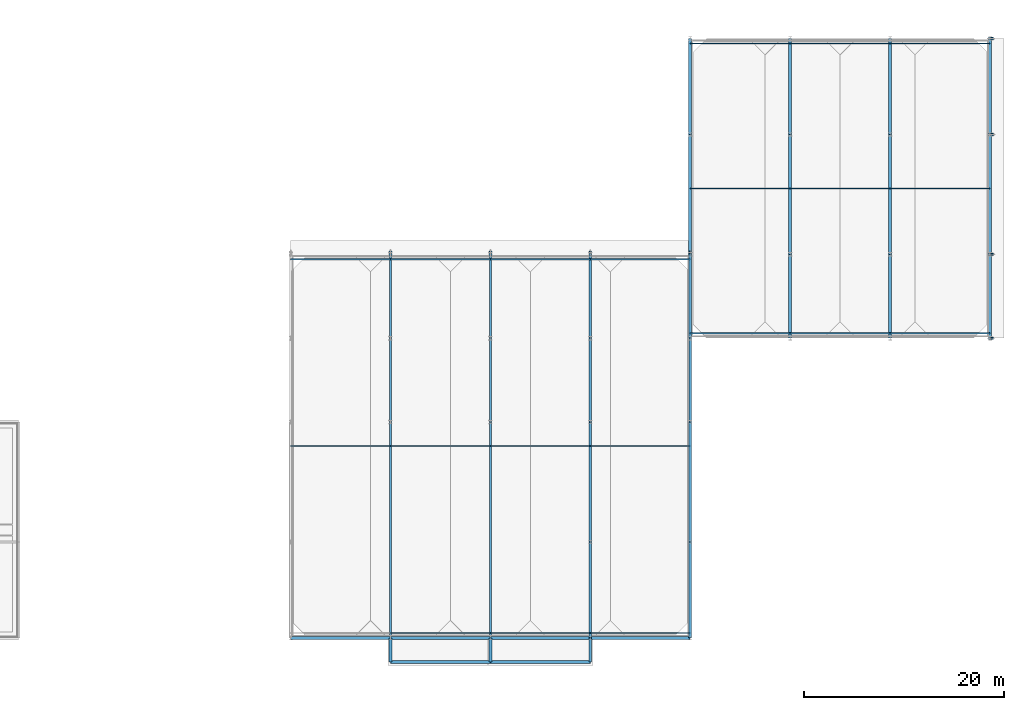
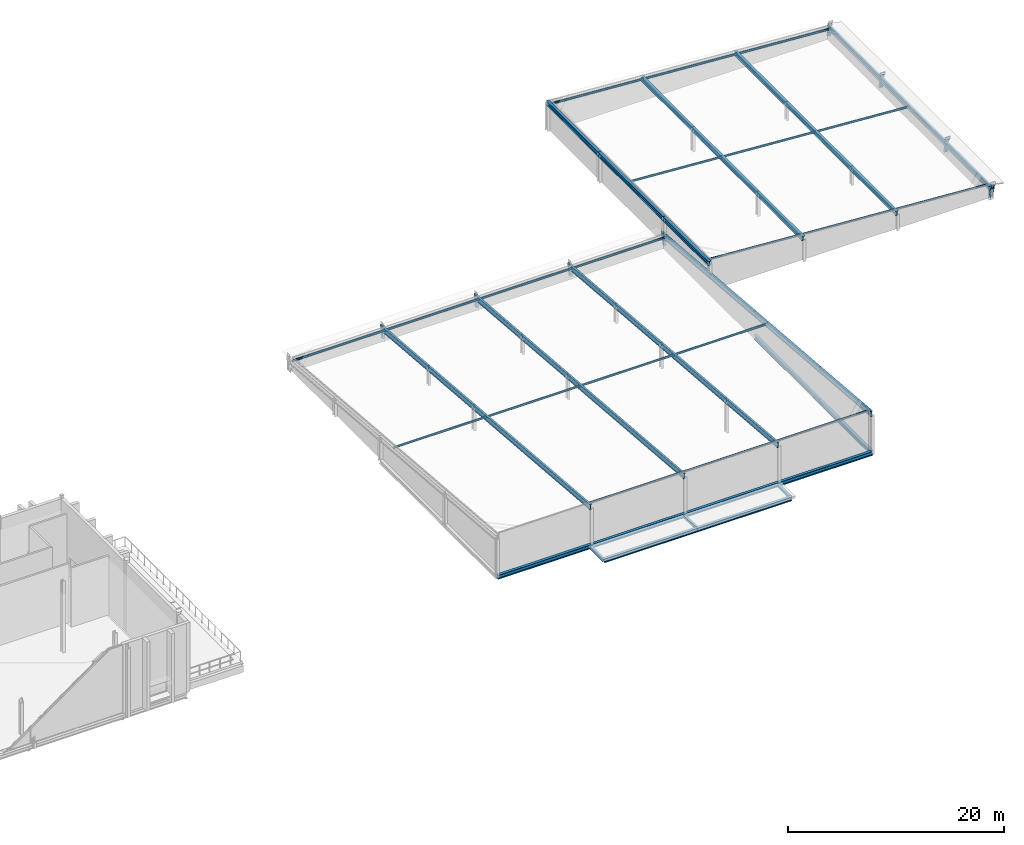
# One storey, part 37 of 79: 37 beams, 28 members.
"""IFC4 building model written with IfcOpenShell, lengths in metres."""

from ifc_helpers import new_model, si_unit, direction, frame, origin, origin_2d, place, context, subcontext, project, spatial, i_section, extrude, material, material_profile, profile_set, type_object, element, save


model = new_model("IFC4")

# Units and contexts
model_context = context("Model", 3, precision=1e-05, world=origin(), true_north=direction((0.0, 1.0)))
body_context = subcontext(model_context, "Body", "Model", "MODEL_VIEW")
ifc_project = project(units=[si_unit("LENGTHUNIT", "METRE"), si_unit("AREAUNIT", "SQUARE_METRE"), si_unit("VOLUMEUNIT", "CUBIC_METRE"), si_unit("PLANEANGLEUNIT", "RADIAN"), si_unit("MASSUNIT", "GRAM", prefix="KILO")], contexts=[model_context])

# Site, building, storey
site_placement = place(None, origin())
site = spatial("IfcSite", under=ifc_project, at=site_placement, CompositionType="ELEMENT")
building_placement = place(site_placement, origin())
building = spatial("IfcBuilding", under=site, at=building_placement, Name="Zereglee Splitstone Museum", CompositionType="ELEMENT")
storey_placement = place(building_placement, frame((0.0, 0.0, 9.0)))
storey = spatial("IfcBuildingStorey", under=building, at=storey_placement, Name="L02", CompositionType="ELEMENT", Elevation=9.0)

# Members
ifc_material_1 = material(Name="Steel S355J2", Category="steel")
ifc_material_profile_1 = material_profile(ifc_material_1, i_section(OverallWidth=0.110107421875, OverallDepth=0.219970703125, WebThickness=0.005859375, FlangeThickness=0.00927734375, FilletRadius=0.011962890625, at=origin_2d()), Name="IPE 220")
ifc_profile_set_1 = profile_set([ifc_material_profile_1], Name="Steel S355J2")
member_type_1 = type_object("IfcMemberType", Name="PR-04", PredefinedType="PURLIN", material=ifc_profile_set_1)
for number, where, z_axis, x_axis, name in (
    (1, (256.0, 19.199951171875, 2.955078125), (1.0, 0.0, 0.0), (0.0, 1.0, 0.0), "Roof Purlin RF-V5 (256.0-266.0)"),
    (2, (256.0, 37.89990234375, 1.396728515625), (1.0, 0.0, 0.0), (0.0, 1.0, 0.0), "Roof Purlin RF-V5 (256.0-266.0)"),
    (3, (266.0, 0.5, 4.513427734375), (1.0, 0.0, 0.0), (0.0, 1.0, 0.0), "Roof Purlin RF-V5 (266.0-276.0)"),
    (4, (266.0, 19.199951171875, 2.955078125), (1.0, 0.0, 0.0), (0.0, 1.0, 0.0), "Roof Purlin RF-V5 (266.0-276.0)"),
    (5, (266.0, 37.89990234375, 1.396728515625), (1.0, 0.0, 0.0), (0.0, 1.0, 0.0), "Roof Purlin RF-V5 (266.0-276.0)"),
    (6, (276.0, 0.5, 4.513427734375), (1.0, 0.0, 0.0), (0.0, 1.0, 0.0), "Roof Purlin RF-V5 (276.0-286.0)"),
    (7, (276.0, 19.199951171875, 2.955078125), (1.0, 0.0, 0.0), (0.0, 1.0, 0.0), "Roof Purlin RF-V5 (276.0-286.0)"),
    (8, (276.0, 37.89990234375, 1.396728515625), (1.0, 0.0, 0.0), (0.0, 1.0, 0.0), "Roof Purlin RF-V5 (276.0-286.0)"),
    (9, (286.0, 0.5, 4.513427734375), (1.0, 0.0, 0.0), (0.0, 1.0, 0.0), "Roof Purlin RF-V5 (286.0-296.0)"),
    (10, (286.0, 19.199951171875, 2.955078125), (1.0, 0.0, 0.0), (0.0, 1.0, 0.0), "Roof Purlin RF-V5 (286.0-296.0)"),
    (11, (286.0, 37.89990234375, 1.396728515625), (1.0, 0.0, 0.0), (0.0, 1.0, 0.0), "Roof Purlin RF-V5 (286.0-296.0)"),
):
    element("IfcMember", number, at=place(storey_placement, frame(where, z_axis=z_axis, x_axis=x_axis)), inside=storey, type_object=member_type_1, Name=name, PredefinedType="PURLIN", context=body_context, shape_type="SweptSolid", body=[
        extrude(i_section(OverallWidth=0.110107421875, OverallDepth=0.219970703125, WebThickness=0.005859375, FlangeThickness=0.00927734375, FilletRadius=0.011962890625, at=origin_2d()), origin(), (0.0, 0.0, 1.0), 10.0),
    ])
for number, where, z_axis, x_axis, name in (
    (12, (296.0, 30.5, 3.29541015625), (0.997784618886, 0.0, -0.066527094584), (0.0, 1.0, 0.0), "Roof Purlin RF-V6 (296.0-306.0)"),
    (13, (296.0, 45.0, 3.29541015625), (0.997784618886, 0.0, -0.066527094584), (0.0, 1.0, 0.0), "Roof Purlin RF-V6 (296.0-306.0)"),
    (14, (296.0, 59.5, 3.29541015625), (0.997784618886, 0.0, -0.066527094584), (0.0, 1.0, 0.0), "Roof Purlin RF-V6 (296.0-306.0)"),
    (15, (306.0, 30.5, 2.628662109375), (0.997784618886, 0.0, -0.066527094584), (0.0, 1.0, 0.0), "Roof Purlin RF-V6 (306.0-316.0)"),
    (16, (306.0, 45.0, 2.628662109375), (0.997784618886, 0.0, -0.066527094584), (0.0, 1.0, 0.0), "Roof Purlin RF-V6 (306.0-316.0)"),
    (17, (306.0, 59.5, 2.628662109375), (0.997784618886, 0.0, -0.066527094584), (0.0, 1.0, 0.0), "Roof Purlin RF-V6 (306.0-316.0)"),
    (18, (316.0, 30.5, 1.9619140625), (0.997786235602, 0.0, -0.066502842363), (0.0, 1.0, 0.0), "Roof Purlin RF-V6 (316.0-326.0)"),
    (19, (316.0, 45.0, 1.9619140625), (0.997786235602, 0.0, -0.066502842363), (0.0, 1.0, 0.0), "Roof Purlin RF-V6 (316.0-326.0)"),
    (20, (316.0, 59.5, 1.9619140625), (0.997786235602, 0.0, -0.066502842363), (0.0, 1.0, 0.0), "Roof Purlin RF-V6 (316.0-326.0)"),
):
    element("IfcMember", number, at=place(storey_placement, frame(where, z_axis=z_axis, x_axis=x_axis)), inside=storey, type_object=member_type_1, Name=name, PredefinedType="PURLIN", context=body_context, shape_type="SweptSolid", body=[
        extrude(i_section(OverallWidth=0.110107421875, OverallDepth=0.219970703125, WebThickness=0.005859375, FlangeThickness=0.00927734375, FilletRadius=0.011962890625, at=origin_2d()), origin(), (0.0, 0.0, 1.0), 10.022216796875),
    ])

# Beams
ifc_material_profile_2 = material_profile(ifc_material_1, i_section(OverallWidth=0.300048828125, OverallDepth=0.5, WebThickness=0.014404296875, FlangeThickness=0.028076171875, FilletRadius=0.027099609375, at=origin_2d()), Name="HE 500 B")
ifc_profile_set_2 = profile_set([ifc_material_profile_2], Name="Steel S355J2")
beam_type_1 = type_object("IfcBeamType", Name="RR-02", PredefinedType="BEAM", material=ifc_profile_set_2)
beam_1_placement = place(storey_placement, frame((296.0, 30.0, 3.158935546875), z_axis=(0.0, 1.0, 0.0), x_axis=(-1.0, 0.0, 0.0)))
element("IfcBeam", 21, at=beam_1_placement, inside=storey, type_object=beam_type_1, Name="Sloped Roof Girder RF-V6 X=296.0 (30.0-38.4)", PredefinedType="BEAM", context=body_context, shape_type="SweptSolid", body=[
    extrude(i_section(OverallWidth=0.300048828125, OverallDepth=0.5, WebThickness=0.014404296875, FlangeThickness=0.028076171875, FilletRadius=0.027099609375, at=origin_2d()), origin(), (0.0, 0.0, 1.0), 8.39990234375),
])
beam_2_placement = place(storey_placement, frame((296.0, 38.39990234375, 3.158935546875), z_axis=(0.0, 1.0, 0.0), x_axis=(-1.0, 0.0, 0.0)))
element("IfcBeam", 22, at=beam_2_placement, inside=storey, type_object=beam_type_1, Name="Sloped Roof Girder RF-V6 X=296.0 (38.4-50.4)", PredefinedType="BEAM", context=body_context, shape_type="SweptSolid", body=[
    extrude(i_section(OverallWidth=0.300048828125, OverallDepth=0.5, WebThickness=0.014404296875, FlangeThickness=0.028076171875, FilletRadius=0.027099609375, at=origin_2d()), origin(), (0.0, 0.0, 1.0), 12.0),
])
beam_3_placement = place(storey_placement, frame((296.0, 50.39990234375, 3.158935546875), z_axis=(0.0, 1.0, 0.0), x_axis=(-1.0, 0.0, 0.0)))
element("IfcBeam", 23, at=beam_3_placement, inside=storey, type_object=beam_type_1, Name="Sloped Roof Girder RF-V6 X=296.0 (50.4-60.0)", PredefinedType="BEAM", context=body_context, shape_type="SweptSolid", body=[
    extrude(i_section(OverallWidth=0.300048828125, OverallDepth=0.5, WebThickness=0.014404296875, FlangeThickness=0.028076171875, FilletRadius=0.027099609375, at=origin_2d()), origin(), (0.0, 0.0, 1.0), 9.60009765625),
])
beam_4_placement = place(storey_placement, frame((306.0, 30.0, 2.492431640625), z_axis=(0.0, 1.0, 0.0), x_axis=(-1.0, 0.0, 0.0)))
element("IfcBeam", 24, at=beam_4_placement, inside=storey, type_object=beam_type_1, Name="Sloped Roof Girder RF-V6 X=306.0 (30.0-38.4)", PredefinedType="BEAM", context=body_context, shape_type="SweptSolid", body=[
    extrude(i_section(OverallWidth=0.300048828125, OverallDepth=0.5, WebThickness=0.014404296875, FlangeThickness=0.028076171875, FilletRadius=0.027099609375, at=origin_2d()), origin(), (0.0, 0.0, 1.0), 8.39990234375),
])
beam_5_placement = place(storey_placement, frame((306.0, 38.39990234375, 2.492431640625), z_axis=(0.0, 1.0, 0.0), x_axis=(-1.0, 0.0, 0.0)))
element("IfcBeam", 25, at=beam_5_placement, inside=storey, type_object=beam_type_1, Name="Sloped Roof Girder RF-V6 X=306.0 (38.4-50.4)", PredefinedType="BEAM", context=body_context, shape_type="SweptSolid", body=[
    extrude(i_section(OverallWidth=0.300048828125, OverallDepth=0.5, WebThickness=0.014404296875, FlangeThickness=0.028076171875, FilletRadius=0.027099609375, at=origin_2d()), origin(), (0.0, 0.0, 1.0), 12.0),
])
beam_6_placement = place(storey_placement, frame((306.0, 50.39990234375, 2.492431640625), z_axis=(0.0, 1.0, 0.0), x_axis=(-1.0, 0.0, 0.0)))
element("IfcBeam", 26, at=beam_6_placement, inside=storey, type_object=beam_type_1, Name="Sloped Roof Girder RF-V6 X=306.0 (50.4-60.0)", PredefinedType="BEAM", context=body_context, shape_type="SweptSolid", body=[
    extrude(i_section(OverallWidth=0.300048828125, OverallDepth=0.5, WebThickness=0.014404296875, FlangeThickness=0.028076171875, FilletRadius=0.027099609375, at=origin_2d()), origin(), (0.0, 0.0, 1.0), 9.60009765625),
])
beam_7_placement = place(storey_placement, frame((316.0, 30.0, 1.82568359375), z_axis=(0.0, 1.0, 0.0), x_axis=(-1.0, 0.0, 0.0)))
element("IfcBeam", 27, at=beam_7_placement, inside=storey, type_object=beam_type_1, Name="Sloped Roof Girder RF-V6 X=316.0 (30.0-38.4)", PredefinedType="BEAM", context=body_context, shape_type="SweptSolid", body=[
    extrude(i_section(OverallWidth=0.300048828125, OverallDepth=0.5, WebThickness=0.014404296875, FlangeThickness=0.028076171875, FilletRadius=0.027099609375, at=origin_2d()), origin(), (0.0, 0.0, 1.0), 8.39990234375),
])
beam_8_placement = place(storey_placement, frame((316.0, 38.39990234375, 1.82568359375), z_axis=(0.0, 1.0, 0.0), x_axis=(-1.0, 0.0, 0.0)))
element("IfcBeam", 28, at=beam_8_placement, inside=storey, type_object=beam_type_1, Name="Sloped Roof Girder RF-V6 X=316.0 (38.4-50.4)", PredefinedType="BEAM", context=body_context, shape_type="SweptSolid", body=[
    extrude(i_section(OverallWidth=0.300048828125, OverallDepth=0.5, WebThickness=0.014404296875, FlangeThickness=0.028076171875, FilletRadius=0.027099609375, at=origin_2d()), origin(), (0.0, 0.0, 1.0), 12.0),
])
beam_9_placement = place(storey_placement, frame((316.0, 50.39990234375, 1.82568359375), z_axis=(0.0, 1.0, 0.0), x_axis=(-1.0, 0.0, 0.0)))
element("IfcBeam", 29, at=beam_9_placement, inside=storey, type_object=beam_type_1, Name="Sloped Roof Girder RF-V6 X=316.0 (50.4-60.0)", PredefinedType="BEAM", context=body_context, shape_type="SweptSolid", body=[
    extrude(i_section(OverallWidth=0.300048828125, OverallDepth=0.5, WebThickness=0.014404296875, FlangeThickness=0.028076171875, FilletRadius=0.027099609375, at=origin_2d()), origin(), (0.0, 0.0, 1.0), 9.60009765625),
])
beam_10_placement = place(storey_placement, frame((326.0, 30.0, 1.158935546875), z_axis=(0.0, 1.0, 0.0), x_axis=(-1.0, 0.0, 0.0)))
element("IfcBeam", 30, at=beam_10_placement, inside=storey, type_object=beam_type_1, Name="Sloped Roof Girder RF-V6 X=326.0 (30.0-38.4)", PredefinedType="BEAM", context=body_context, shape_type="SweptSolid", body=[
    extrude(i_section(OverallWidth=0.300048828125, OverallDepth=0.5, WebThickness=0.014404296875, FlangeThickness=0.028076171875, FilletRadius=0.027099609375, at=origin_2d()), origin(), (0.0, 0.0, 1.0), 8.39990234375),
])
beam_11_placement = place(storey_placement, frame((326.0, 38.39990234375, 1.158935546875), z_axis=(0.0, 1.0, 0.0), x_axis=(-1.0, 0.0, 0.0)))
element("IfcBeam", 31, at=beam_11_placement, inside=storey, type_object=beam_type_1, Name="Sloped Roof Girder RF-V6 X=326.0 (38.4-50.4)", PredefinedType="BEAM", context=body_context, shape_type="SweptSolid", body=[
    extrude(i_section(OverallWidth=0.300048828125, OverallDepth=0.5, WebThickness=0.014404296875, FlangeThickness=0.028076171875, FilletRadius=0.027099609375, at=origin_2d()), origin(), (0.0, 0.0, 1.0), 12.0),
])
beam_12_placement = place(storey_placement, frame((326.0, 50.39990234375, 1.158935546875), z_axis=(0.0, 1.0, 0.0), x_axis=(-1.0, 0.0, 0.0)))
element("IfcBeam", 32, at=beam_12_placement, inside=storey, type_object=beam_type_1, Name="Sloped Roof Girder RF-V6 X=326.0 (50.4-60.0)", PredefinedType="BEAM", context=body_context, shape_type="SweptSolid", body=[
    extrude(i_section(OverallWidth=0.300048828125, OverallDepth=0.5, WebThickness=0.014404296875, FlangeThickness=0.028076171875, FilletRadius=0.027099609375, at=origin_2d()), origin(), (0.0, 0.0, 1.0), 9.60009765625),
])
ifc_material_profile_3 = material_profile(ifc_material_1, i_section(OverallWidth=0.219970703125, OverallDepth=0.60009765625, WebThickness=0.011962890625, FlangeThickness=0.01904296875, FilletRadius=0.02392578125, at=origin_2d()), Name="IPE 600")
ifc_profile_set_3 = profile_set([ifc_material_profile_3], Name="Steel S355J2")
beam_type_2 = type_object("IfcBeamType", Name="RR-01", PredefinedType="BEAM", material=ifc_profile_set_3)
beam_13_placement = place(storey_placement, frame((266.0, 0.0, 4.368408203125), z_axis=(0.0, 0.996545602882, -0.083047344192), x_axis=(-1.0, 0.0, 0.0)))
element("IfcBeam", 33, at=beam_13_placement, inside=storey, type_object=beam_type_2, Name="Sloped Roof Girder RF-V5 X=266.0 (0.0-21.6)", PredefinedType="BEAM", context=body_context, shape_type="SweptSolid", body=[
    extrude(i_section(OverallWidth=0.219970703125, OverallDepth=0.60009765625, WebThickness=0.011962890625, FlangeThickness=0.01904296875, FilletRadius=0.02392578125, at=origin_2d()), origin(), (0.0, 0.0, 1.0), 21.675048828125),
])
for number, where, z_axis, x_axis, name in (
    (34, (266.0, 21.60009765625, 2.568359375), (0.0, 0.996546157741, -0.08304068576), (-1.0, 0.0, 0.0), "Sloped Roof Girder RF-V5 X=266.0 (21.6-30.0)"),
    (35, (266.0, 30.0, 1.868408203125), (0.0, 0.996546157741, -0.08304068576), (-1.0, 0.0, 0.0), "Sloped Roof Girder RF-V5 X=266.0 (30.0-38.4)"),
):
    element("IfcBeam", number, at=place(storey_placement, frame(where, z_axis=z_axis, x_axis=x_axis)), inside=storey, type_object=beam_type_2, Name=name, PredefinedType="BEAM", context=body_context, shape_type="SweptSolid", body=[
        extrude(i_section(OverallWidth=0.219970703125, OverallDepth=0.60009765625, WebThickness=0.011962890625, FlangeThickness=0.01904296875, FilletRadius=0.02392578125, at=origin_2d()), origin(), (0.0, 0.0, 1.0), 8.428955078125),
    ])
beam_14_placement = place(storey_placement, frame((276.0, 0.0, 4.368408203125), z_axis=(0.0, 0.996545602882, -0.083047344192), x_axis=(-1.0, 0.0, 0.0)))
element("IfcBeam", 36, at=beam_14_placement, inside=storey, type_object=beam_type_2, Name="Sloped Roof Girder RF-V5 X=276.0 (0.0-21.6)", PredefinedType="BEAM", context=body_context, shape_type="SweptSolid", body=[
    extrude(i_section(OverallWidth=0.219970703125, OverallDepth=0.60009765625, WebThickness=0.011962890625, FlangeThickness=0.01904296875, FilletRadius=0.02392578125, at=origin_2d()), origin(), (0.0, 0.0, 1.0), 21.675048828125),
])
for number, where, z_axis, x_axis, name in (
    (37, (276.0, 21.60009765625, 2.568359375), (0.0, 0.996546157741, -0.08304068576), (-1.0, 0.0, 0.0), "Sloped Roof Girder RF-V5 X=276.0 (21.6-30.0)"),
    (38, (276.0, 30.0, 1.868408203125), (0.0, 0.996546157741, -0.08304068576), (-1.0, 0.0, 0.0), "Sloped Roof Girder RF-V5 X=276.0 (30.0-38.4)"),
):
    element("IfcBeam", number, at=place(storey_placement, frame(where, z_axis=z_axis, x_axis=x_axis)), inside=storey, type_object=beam_type_2, Name=name, PredefinedType="BEAM", context=body_context, shape_type="SweptSolid", body=[
        extrude(i_section(OverallWidth=0.219970703125, OverallDepth=0.60009765625, WebThickness=0.011962890625, FlangeThickness=0.01904296875, FilletRadius=0.02392578125, at=origin_2d()), origin(), (0.0, 0.0, 1.0), 8.428955078125),
    ])
beam_15_placement = place(storey_placement, frame((286.0, 0.0, 4.368408203125), z_axis=(0.0, 0.996545408675, -0.08304967459), x_axis=(-1.0, 0.0, 0.0)))
element("IfcBeam", 39, at=beam_15_placement, inside=storey, type_object=beam_type_2, Name="Sloped Roof Girder RF-V5 X=286.0 (0.0-9.6)", PredefinedType="BEAM", context=body_context, shape_type="SweptSolid", body=[
    extrude(i_section(OverallWidth=0.219970703125, OverallDepth=0.60009765625, WebThickness=0.011962890625, FlangeThickness=0.01904296875, FilletRadius=0.02392578125, at=origin_2d()), origin(), (0.0, 0.0, 1.0), 9.63330078125),
])
beam_16_placement = place(storey_placement, frame((286.0, 9.60009765625, 3.568359375), z_axis=(0.0, 0.996545758245, -0.083045479854), x_axis=(-1.0, 0.0, 0.0)))
element("IfcBeam", 40, at=beam_16_placement, inside=storey, type_object=beam_type_2, Name="Sloped Roof Girder RF-V5 X=286.0 (9.6-21.6)", PredefinedType="BEAM", context=body_context, shape_type="SweptSolid", body=[
    extrude(i_section(OverallWidth=0.219970703125, OverallDepth=0.60009765625, WebThickness=0.011962890625, FlangeThickness=0.01904296875, FilletRadius=0.02392578125, at=origin_2d()), origin(), (0.0, 0.0, 1.0), 12.04150390625),
])
for number, where, z_axis, x_axis, name in (
    (41, (286.0, 21.60009765625, 2.568359375), (0.0, 0.996546157741, -0.08304068576), (-1.0, 0.0, 0.0), "Sloped Roof Girder RF-V5 X=286.0 (21.6-30.0)"),
    (42, (286.0, 30.0, 1.868408203125), (0.0, 0.996546157741, -0.08304068576), (-1.0, 0.0, 0.0), "Sloped Roof Girder RF-V5 X=286.0 (30.0-38.4)"),
):
    element("IfcBeam", number, at=place(storey_placement, frame(where, z_axis=z_axis, x_axis=x_axis)), inside=storey, type_object=beam_type_2, Name=name, PredefinedType="BEAM", context=body_context, shape_type="SweptSolid", body=[
        extrude(i_section(OverallWidth=0.219970703125, OverallDepth=0.60009765625, WebThickness=0.011962890625, FlangeThickness=0.01904296875, FilletRadius=0.02392578125, at=origin_2d()), origin(), (0.0, 0.0, 1.0), 8.428955078125),
    ])
beam_17_placement = place(storey_placement, frame((296.0, 0.0, 4.368408203125), z_axis=(0.0, 0.996545408675, -0.08304967459), x_axis=(-1.0, 0.0, 0.0)))
element("IfcBeam", 43, at=beam_17_placement, inside=storey, type_object=beam_type_2, Name="Sloped Roof Girder RF-V5 X=296.0 (0.0-9.6)", PredefinedType="BEAM", context=body_context, shape_type="SweptSolid", body=[
    extrude(i_section(OverallWidth=0.219970703125, OverallDepth=0.60009765625, WebThickness=0.011962890625, FlangeThickness=0.01904296875, FilletRadius=0.02392578125, at=origin_2d()), origin(), (0.0, 0.0, 1.0), 9.63330078125),
])
beam_18_placement = place(storey_placement, frame((296.0, 9.60009765625, 3.568359375), z_axis=(0.0, 0.996545758245, -0.083045479854), x_axis=(-1.0, 0.0, 0.0)))
element("IfcBeam", 44, at=beam_18_placement, inside=storey, type_object=beam_type_2, Name="Sloped Roof Girder RF-V5 X=296.0 (9.6-21.6)", PredefinedType="BEAM", context=body_context, shape_type="SweptSolid", body=[
    extrude(i_section(OverallWidth=0.219970703125, OverallDepth=0.60009765625, WebThickness=0.011962890625, FlangeThickness=0.01904296875, FilletRadius=0.02392578125, at=origin_2d()), origin(), (0.0, 0.0, 1.0), 12.04150390625),
])
for number, where, z_axis, x_axis, name in (
    (45, (296.0, 21.60009765625, 2.568359375), (0.0, 0.996546157741, -0.08304068576), (-1.0, 0.0, 0.0), "Sloped Roof Girder RF-V5 X=296.0 (21.6-30.0)"),
    (46, (296.0, 30.0, 1.868408203125), (0.0, 0.996546157741, -0.08304068576), (-1.0, 0.0, 0.0), "Sloped Roof Girder RF-V5 X=296.0 (30.0-38.4)"),
):
    element("IfcBeam", number, at=place(storey_placement, frame(where, z_axis=z_axis, x_axis=x_axis)), inside=storey, type_object=beam_type_2, Name=name, PredefinedType="BEAM", context=body_context, shape_type="SweptSolid", body=[
        extrude(i_section(OverallWidth=0.219970703125, OverallDepth=0.60009765625, WebThickness=0.011962890625, FlangeThickness=0.01904296875, FilletRadius=0.02392578125, at=origin_2d()), origin(), (0.0, 0.0, 1.0), 8.428955078125),
    ])
ifc_material_profile_4 = material_profile(ifc_material_1, i_section(OverallWidth=0.280029296875, OverallDepth=0.280029296875, WebThickness=0.010498046875, FlangeThickness=0.01806640625, FilletRadius=0.02392578125, at=origin_2d()), Name="HE 280 B")
ifc_profile_set_4 = profile_set([ifc_material_profile_4], Name="Steel S355J2")
beam_type_3 = type_object("IfcBeamType", Name="SP-03", PredefinedType="SPANDREL", material=ifc_profile_set_4)
for number, where, z_axis, x_axis, name in (
    (47, (266.0, -2.39990234375, -0.14990234375), (0.0, 1.0, 0.0), (-1.0, 0.0, 0.0), "Pishtaq Return Tie Beam PSQ-SV5-1 (266.0)"),
    (48, (276.0, -2.39990234375, -0.14990234375), (0.0, 1.0, 0.0), (-1.0, 0.0, 0.0), "Pishtaq Return Tie Beam PSQ-SV5-1 (276.0)"),
    (49, (286.0, -2.39990234375, -0.14990234375), (0.0, 1.0, 0.0), (-1.0, 0.0, 0.0), "Pishtaq Return Tie Beam PSQ-SV5-2 (286.0)"),
):
    element("IfcBeam", number, at=place(storey_placement, frame(where, z_axis=z_axis, x_axis=x_axis)), inside=storey, type_object=beam_type_3, Name=name, PredefinedType="SPANDREL", context=body_context, shape_type="SweptSolid", body=[
        extrude(i_section(OverallWidth=0.280029296875, OverallDepth=0.280029296875, WebThickness=0.010498046875, FlangeThickness=0.01806640625, FilletRadius=0.02392578125, at=origin_2d()), origin(), (0.0, 0.0, 1.0), 2.39990234375),
    ])
ifc_material_profile_5 = material_profile(ifc_material_1, i_section(OverallWidth=0.300048828125, OverallDepth=0.449951171875, WebThickness=0.013916015625, FlangeThickness=0.02587890625, FilletRadius=0.027099609375, at=origin_2d()), Name="HE 450 B")
ifc_profile_set_5 = profile_set([ifc_material_profile_5], Name="Steel S355J2")
beam_type_4 = type_object("IfcBeamType", Name="SP-02", PredefinedType="SPANDREL", material=ifc_profile_set_5)
for number, where, z_axis, x_axis, name in (
    (50, (256.0, 0.0, 0.02001953125), (1.0, 0.0, 0.0), (0.0, 1.0, 0.0), "Auditorium South Double-Height Spandrel (256-266)"),
    (51, (266.0, 0.0, 0.02001953125), (1.0, 0.0, 0.0), (0.0, 1.0, 0.0), "Auditorium South Double-Height Spandrel (266-276)"),
    (52, (276.0, 0.0, 0.02001953125), (1.0, 0.0, 0.0), (0.0, 1.0, 0.0), "Auditorium South Double-Height Spandrel (276-286)"),
    (53, (286.0, 0.0, 0.02001953125), (1.0, 0.0, 0.0), (0.0, 1.0, 0.0), "Auditorium South Double-Height Spandrel (286-296)"),
):
    element("IfcBeam", number, at=place(storey_placement, frame(where, z_axis=z_axis, x_axis=x_axis)), inside=storey, type_object=beam_type_4, Name=name, PredefinedType="SPANDREL", context=body_context, shape_type="SweptSolid", body=[
        extrude(i_section(OverallWidth=0.300048828125, OverallDepth=0.449951171875, WebThickness=0.013916015625, FlangeThickness=0.02587890625, FilletRadius=0.027099609375, at=origin_2d()), origin(), (0.0, 0.0, 1.0), 10.0),
    ])
beam_19_placement = place(storey_placement, frame((296.0, 0.0, 0.02001953125), z_axis=(0.0, 1.0, 0.0), x_axis=(-1.0, 0.0, 0.0)))
element("IfcBeam", 54, at=beam_19_placement, inside=storey, type_object=beam_type_4, Name="Auditorium Side Double-Height Spandrel X=296", PredefinedType="SPANDREL", context=body_context, shape_type="SweptSolid", body=[
    extrude(i_section(OverallWidth=0.300048828125, OverallDepth=0.449951171875, WebThickness=0.013916015625, FlangeThickness=0.02587890625, FilletRadius=0.027099609375, at=origin_2d()), origin(), (0.0, 0.0, 1.0), 9.60009765625),
])
beam_20_placement = place(storey_placement, frame((296.0, 9.60009765625, 0.02001953125), z_axis=(0.0, 1.0, 0.0), x_axis=(-1.0, 0.0, 0.0)))
element("IfcBeam", 55, at=beam_20_placement, inside=storey, type_object=beam_type_4, Name="Auditorium Side Double-Height Spandrel X=296", PredefinedType="SPANDREL", context=body_context, shape_type="SweptSolid", body=[
    extrude(i_section(OverallWidth=0.300048828125, OverallDepth=0.449951171875, WebThickness=0.013916015625, FlangeThickness=0.02587890625, FilletRadius=0.027099609375, at=origin_2d()), origin(), (0.0, 0.0, 1.0), 12.0),
])
for number, where, z_axis, x_axis, name in (
    (56, (266.0, -2.39990234375, -0.14990234375), (1.0, 0.0, 0.0), (0.0, 1.0, 0.0), "Mughal Pishtaq Cornice Header Beam PSQ-SV5-1"),
    (57, (276.0, -2.39990234375, -0.14990234375), (1.0, 0.0, 0.0), (0.0, 1.0, 0.0), "Mughal Pishtaq Cornice Header Beam PSQ-SV5-2"),
):
    element("IfcBeam", number, at=place(storey_placement, frame(where, z_axis=z_axis, x_axis=x_axis)), inside=storey, type_object=beam_type_4, Name=name, PredefinedType="SPANDREL", context=body_context, shape_type="SweptSolid", body=[
        extrude(i_section(OverallWidth=0.300048828125, OverallDepth=0.449951171875, WebThickness=0.013916015625, FlangeThickness=0.02587890625, FilletRadius=0.027099609375, at=origin_2d()), origin(), (0.0, 0.0, 1.0), 10.0),
    ])

# Members
ifc_material_2 = material(Name="Steel S355J2 architectural chhajja corbel", Category="steel")
ifc_material_profile_6 = material_profile(ifc_material_2, i_section(OverallWidth=0.280029296875, OverallDepth=0.280029296875, WebThickness=0.010498046875, FlangeThickness=0.01806640625, FilletRadius=0.02392578125, at=origin_2d()), Name="HE 280 B")
ifc_profile_set_6 = profile_set([ifc_material_profile_6], Name="Steel S355J2 architectural chhajja corbel")
member_type_2 = type_object("IfcMemberType", Name="FS-C1", PredefinedType="STRUT", material=ifc_profile_set_6)
for number, where, z_axis, x_axis, name in (
    (58, (266.0, 38.39990234375, 0.14990234375), (0.0, 0.139586067164, 0.990209942312), (-1.0, 0.0, 0.0), "Mughal Chhajja Corbel Bracket RF-V5 X=266.0"),
    (59, (276.0, 38.39990234375, 0.14990234375), (0.0, 0.139586067164, 0.990209942312), (-1.0, 0.0, 0.0), "Mughal Chhajja Corbel Bracket RF-V5 X=276.0"),
    (60, (286.0, 38.39990234375, 0.14990234375), (0.0, 0.139586067164, 0.990209942312), (-1.0, 0.0, 0.0), "Mughal Chhajja Corbel Bracket RF-V5 X=286.0"),
    (61, (296.0, 38.39990234375, 0.14990234375), (0.0, 0.139586067164, 0.990209942312), (-1.0, 0.0, 0.0), "Mughal Chhajja Corbel Bracket RF-V5 X=296.0"),
):
    element("IfcMember", number, at=place(storey_placement, frame(where, z_axis=z_axis, x_axis=x_axis)), inside=storey, type_object=member_type_2, Name=name, PredefinedType="STRUT", context=body_context, shape_type="SweptSolid", body=[
        extrude(i_section(OverallWidth=0.280029296875, OverallDepth=0.280029296875, WebThickness=0.010498046875, FlangeThickness=0.01806640625, FilletRadius=0.02392578125, at=origin_2d()), origin(), (0.0, 0.0, 1.0), 1.434326171875),
    ])
for number, where, z_axis, x_axis, name in (
    (62, (326.0, 30.0, 0.14990234375), (0.144407604854, 0.0, 0.989518288694), (0.0, 1.0, 0.0), "Mughal Chhajja Corbel Bracket RF-V6 Y=30.0"),
    (63, (326.0, 38.39990234375, 0.14990234375), (0.144407604854, 0.0, 0.989518288694), (0.0, 1.0, 0.0), "Mughal Chhajja Corbel Bracket RF-V6 Y=38.4"),
    (64, (326.0, 50.39990234375, 0.14990234375), (0.144407604854, 0.0, 0.989518288694), (0.0, 1.0, 0.0), "Mughal Chhajja Corbel Bracket RF-V6 Y=50.4"),
    (65, (326.0, 60.0, 0.14990234375), (0.144407604854, 0.0, 0.989518288694), (0.0, 1.0, 0.0), "Mughal Chhajja Corbel Bracket RF-V6 Y=60.0"),
):
    element("IfcMember", number, at=place(storey_placement, frame(where, z_axis=z_axis, x_axis=x_axis)), inside=storey, type_object=member_type_2, Name=name, PredefinedType="STRUT", context=body_context, shape_type="SweptSolid", body=[
        extrude(i_section(OverallWidth=0.280029296875, OverallDepth=0.280029296875, WebThickness=0.010498046875, FlangeThickness=0.01806640625, FilletRadius=0.02392578125, at=origin_2d()), origin(), (0.0, 0.0, 1.0), 1.384521484375),
    ])

save(model, "model.ifc")
